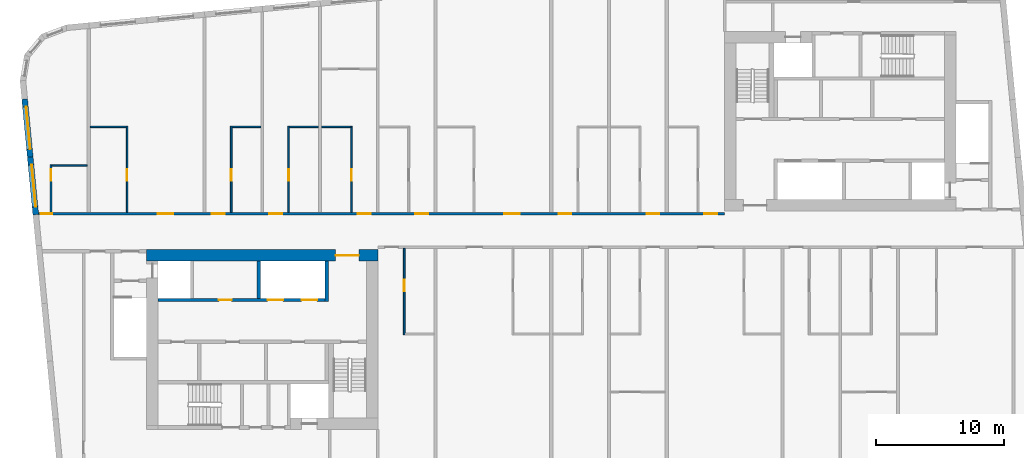
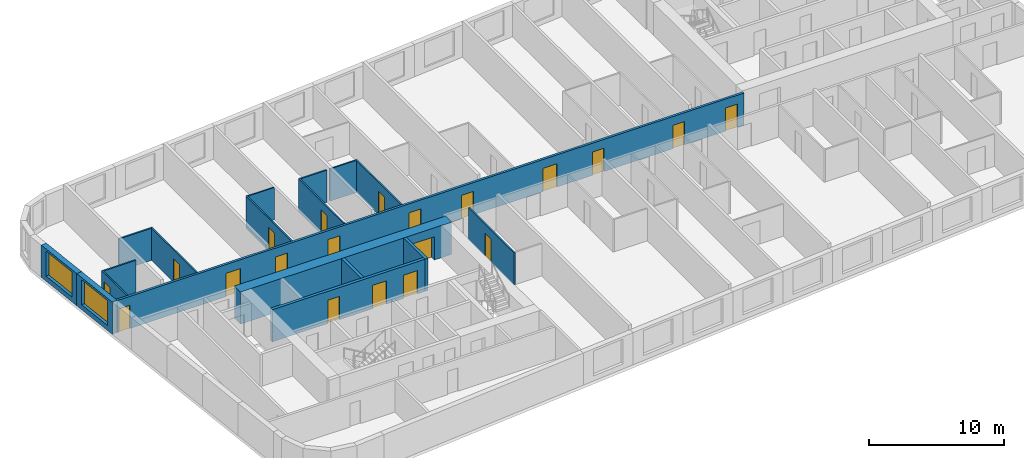
# One storey, part 3 of 11: 20 doors, 18 walls, 2 windows, 22 openings.
"""IFC4 building model written with IfcOpenShell, lengths in metres."""

from ifc_helpers import new_model, si_unit, direction, frame, frame_2d, origin, place, context, subcontext, project, spatial, rectangle, extrude, material, layer, layer_set, type_object, element, fill, save


model = new_model("IFC4")

# Units and contexts
model_context = context("Model", 3, precision=1e-05, world=origin(), true_north=direction((0.0, 1.0)))
body_context = subcontext(model_context, "Body", "Model", "MODEL_VIEW")
ifc_project = project(units=[si_unit("LENGTHUNIT", "METRE"), si_unit("AREAUNIT", "SQUARE_METRE"), si_unit("VOLUMEUNIT", "CUBIC_METRE"), si_unit("PLANEANGLEUNIT", "RADIAN"), si_unit("MASSUNIT", "GRAM", prefix="KILO")], contexts=[model_context])

# Site, building, storey
site_placement = place(None, origin())
site = spatial("IfcSite", under=ifc_project, at=site_placement, CompositionType="ELEMENT")
building_placement = place(site_placement, origin())
building = spatial("IfcBuilding", under=site, at=building_placement, Name="Kajstack Hotel Tower", CompositionType="ELEMENT")
storey_placement = place(building_placement, frame((0.0, 0.0, 304.800048828125)))
storey = spatial("IfcBuildingStorey", under=building, at=storey_placement, Name="L77", CompositionType="ELEMENT", Elevation=304.800048828125)

# Wall, opening, door
ifc_material_1 = material(Name="Concrete C60/75", Category="concrete")
ifc_layer_1 = layer(ifc_material_1, 0.89990234375)
ifc_layer_set_1 = layer_set([ifc_layer_1], Name="Core wall 900")
wall_type_1 = type_object("IfcWallType", Name="Core wall 900", PredefinedType="SHEAR", material=ifc_layer_set_1)
wall_1_placement = place(storey_placement, frame((-31.5, -1.949951171875, 0.0), z_axis=(0.0, 0.0, 1.0), x_axis=(1.0, 0.0, 0.0)))
wall_1 = element("IfcWall", 1, at=wall_1_placement, inside=storey, type_object=wall_type_1, Name="Core wall W RN", PredefinedType="SHEAR", context=body_context, shape_type="SweptSolid", body=[
    extrude(rectangle(XDim=18.0, YDim=0.89990234375, at=frame_2d((9.0, 0.0))), origin(), (0.0, 0.0, 1.0), 2.89990234375),
])
opening_1_placement = place(wall_1_placement, frame((14.72509765625, 0.0, 0.0)))
opening_1 = element("IfcOpeningElement", 2, at=opening_1_placement, cuts=wall_1, Name="Opening 77W05", PredefinedType="OPENING", context=body_context, shape_type="SweptSolid", body=[
    extrude(rectangle(XDim=1.800048828125, YDim=2.10009765625, at=frame_2d((0.89990234375, 1.050048828125))), frame((0.0, 0.4599609375, 0.0), z_axis=(0.0, -1.0, 0.0), x_axis=(1.0, 0.0, 0.0)), (0.0, 0.0, 1.0), 0.919921875),
])
ifc_material_2 = material(Name="Glazed steel frame, fire-rated glass", Category="steel")
door_type_1 = type_object("IfcDoorType", Name="Lobby double door 1800", OperationType="DOUBLE_DOOR_DOUBLE_SWING", PredefinedType="DOOR", material=ifc_material_2)
door_1_placement = place(opening_1_placement, origin())
door_1 = element("IfcDoor", 3, at=door_1_placement, inside=storey, type_object=door_type_1, Name="Door 77W05", OperationType="DOUBLE_DOOR_DOUBLE_SWING", OverallHeight=2.10009765625, OverallWidth=1.800048828125, PredefinedType="DOOR", context=body_context, shape_type="SweptSolid", body=[
    extrude(rectangle(XDim=1.800048828125, YDim=2.10009765625, at=frame_2d((0.89990234375, 1.050048828125))), frame((0.0, 0.02490234375, 0.0), z_axis=(0.0, -1.0, 0.0), x_axis=(1.0, 0.0, 0.0)), (0.0, 0.0, 1.0), 0.050048828125),
])
fill(opening_1, door_1)

# Wall, openings, doors
ifc_material_3 = material(Name="Gypsum board on steel studs, mineral wool", Category="steel")
ifc_layer_2 = layer(ifc_material_3, 0.199951171875)
ifc_layer_set_2 = layer_set([ifc_layer_2], Name="Corridor wall 200")
wall_type_2 = type_object("IfcWallType", Name="Corridor wall 200", PredefinedType="PARTITIONING", material=ifc_layer_set_2)
wall_2_placement = place(storey_placement, frame((-39.908935546875, 1.300048828125, 0.0), z_axis=(0.0, 0.0, 1.0), x_axis=(1.0, 0.0, 0.0)))
wall_2 = element("IfcWall", 4, at=wall_2_placement, inside=storey, type_object=wall_type_2, Name="G-wall-L77-003", PredefinedType="PARTITIONING", context=body_context, shape_type="SweptSolid", body=[
    extrude(rectangle(XDim=53.408935546875, YDim=0.199951171875, at=frame_2d((26.70458984375, 0.0))), origin(), (0.0, 0.0, 1.0), 2.89990234375),
])
opening_2_placement = place(wall_2_placement, frame((0.14990234375, 0.0, 0.0)))
opening_2 = element("IfcOpeningElement", 5, at=opening_2_placement, cuts=wall_2, Name="Opening 77001", PredefinedType="OPENING", context=body_context, shape_type="SweptSolid", body=[
    extrude(rectangle(XDim=0.89990234375, YDim=2.10009765625, at=frame_2d((0.449951171875, 1.050048828125))), frame((0.0, 0.10986328125, 0.0), z_axis=(0.0, -1.0, 0.0), x_axis=(1.0, 0.0, 0.0)), (0.0, 0.0, 1.0), 0.219970703125),
])
opening_3_placement = place(wall_2_placement, frame((9.27099609375, 0.0, 0.0)))
opening_3 = element("IfcOpeningElement", 6, at=opening_3_placement, cuts=wall_2, Name="Opening 77003", PredefinedType="OPENING", context=body_context, shape_type="SweptSolid", body=[
    extrude(rectangle(XDim=1.199951171875, YDim=2.10009765625, at=frame_2d((0.60009765625, 1.050048828125))), frame((0.0, 0.10986328125, 0.0), z_axis=(0.0, -1.0, 0.0), x_axis=(1.0, 0.0, 0.0)), (0.0, 0.0, 1.0), 0.219970703125),
])
opening_4_placement = place(wall_2_placement, frame((13.48388671875, 0.0, 0.0)))
opening_4 = element("IfcOpeningElement", 7, at=opening_4_placement, cuts=wall_2, Name="Opening 77005", PredefinedType="OPENING", context=body_context, shape_type="SweptSolid", body=[
    extrude(rectangle(XDim=1.0, YDim=2.10009765625, at=frame_2d((0.5, 1.050048828125))), frame((0.0, 0.10986328125, 0.0), z_axis=(0.0, -1.0, 0.0), x_axis=(1.0, 0.0, 0.0)), (0.0, 0.0, 1.0), 0.219970703125),
])
opening_5_placement = place(wall_2_placement, frame((17.958984375, 0.0, 0.0)))
opening_5 = element("IfcOpeningElement", 8, at=opening_5_placement, cuts=wall_2, Name="Opening 77007", PredefinedType="OPENING", context=body_context, shape_type="SweptSolid", body=[
    extrude(rectangle(XDim=1.0, YDim=2.10009765625, at=frame_2d((0.5, 1.050048828125))), frame((0.0, 0.10986328125, 0.0), z_axis=(0.0, -1.0, 0.0), x_axis=(1.0, 0.0, 0.0)), (0.0, 0.0, 1.0), 0.219970703125),
])
opening_6_placement = place(wall_2_placement, frame((24.85888671875, 0.0, 0.0)))
opening_6 = element("IfcOpeningElement", 9, at=opening_6_placement, cuts=wall_2, Name="Opening 77009", PredefinedType="OPENING", context=body_context, shape_type="SweptSolid", body=[
    extrude(rectangle(XDim=1.0, YDim=2.10009765625, at=frame_2d((0.5, 1.050048828125))), frame((0.0, 0.10986328125, 0.0), z_axis=(0.0, -1.0, 0.0), x_axis=(1.0, 0.0, 0.0)), (0.0, 0.0, 1.0), 0.219970703125),
])
opening_7_placement = place(wall_2_placement, frame((29.333984375, 0.0, 0.0)))
opening_7 = element("IfcOpeningElement", 10, at=opening_7_placement, cuts=wall_2, Name="Opening 77012", PredefinedType="OPENING", context=body_context, shape_type="SweptSolid", body=[
    extrude(rectangle(XDim=1.0, YDim=2.10009765625, at=frame_2d((0.5, 1.050048828125))), frame((0.0, 0.10986328125, 0.0), z_axis=(0.0, -1.0, 0.0), x_axis=(1.0, 0.0, 0.0)), (0.0, 0.0, 1.0), 0.219970703125),
])
opening_8_placement = place(wall_2_placement, frame((36.27099609375, 0.0, 0.0)))
opening_8 = element("IfcOpeningElement", 11, at=opening_8_placement, cuts=wall_2, Name="Opening 77014", PredefinedType="OPENING", context=body_context, shape_type="SweptSolid", body=[
    extrude(rectangle(XDim=1.199951171875, YDim=2.10009765625, at=frame_2d((0.60009765625, 1.050048828125))), frame((0.0, 0.10986328125, 0.0), z_axis=(0.0, -1.0, 0.0), x_axis=(1.0, 0.0, 0.0)), (0.0, 0.0, 1.0), 0.219970703125),
])
opening_9_placement = place(wall_2_placement, frame((40.48388671875, 0.0, 0.0)))
opening_9 = element("IfcOpeningElement", 12, at=opening_9_placement, cuts=wall_2, Name="Opening 77016", PredefinedType="OPENING", context=body_context, shape_type="SweptSolid", body=[
    extrude(rectangle(XDim=1.0, YDim=2.10009765625, at=frame_2d((0.5, 1.050048828125))), frame((0.0, 0.10986328125, 0.0), z_axis=(0.0, -1.0, 0.0), x_axis=(1.0, 0.0, 0.0)), (0.0, 0.0, 1.0), 0.219970703125),
])
opening_10_placement = place(wall_2_placement, frame((47.333984375, 0.0, 0.0)))
opening_10 = element("IfcOpeningElement", 13, at=opening_10_placement, cuts=wall_2, Name="Opening 77018", PredefinedType="OPENING", context=body_context, shape_type="SweptSolid", body=[
    extrude(rectangle(XDim=1.0, YDim=2.10009765625, at=frame_2d((0.5, 1.050048828125))), frame((0.0, 0.10986328125, 0.0), z_axis=(0.0, -1.0, 0.0), x_axis=(1.0, 0.0, 0.0)), (0.0, 0.0, 1.0), 0.219970703125),
])
opening_11_placement = place(wall_2_placement, frame((51.833984375, 0.0, 0.0)))
opening_11 = element("IfcOpeningElement", 14, at=opening_11_placement, cuts=wall_2, Name="Opening 77020", PredefinedType="OPENING", context=body_context, shape_type="SweptSolid", body=[
    extrude(rectangle(XDim=1.0, YDim=2.10009765625, at=frame_2d((0.5, 1.050048828125))), frame((0.0, 0.10986328125, 0.0), z_axis=(0.0, -1.0, 0.0), x_axis=(1.0, 0.0, 0.0)), (0.0, 0.0, 1.0), 0.219970703125),
])
ifc_material_4 = material(Name="Oak veneer on timber core, fire-rated leaf", Category="wood")
door_type_2 = type_object("IfcDoorType", Name="Flat entrance door 1000", OperationType="SINGLE_SWING_LEFT", PredefinedType="DOOR", material=ifc_material_4)
door_2_placement = place(opening_4_placement, origin())
door_2 = element("IfcDoor", 15, at=door_2_placement, inside=storey, type_object=door_type_2, Name="G-door-L77-05", OperationType="SINGLE_SWING_LEFT", OverallHeight=2.10009765625, OverallWidth=1.0, PredefinedType="DOOR", context=body_context, shape_type="SweptSolid", body=[
    extrude(rectangle(XDim=1.0, YDim=2.10009765625, at=frame_2d((0.5, 1.050048828125))), frame((0.0, 0.02490234375, 0.0), z_axis=(0.0, -1.0, 0.0), x_axis=(1.0, 0.0, 0.0)), (0.0, 0.0, 1.0), 0.050048828125),
])
fill(opening_4, door_2)
door_3_placement = place(opening_5_placement, origin())
door_3 = element("IfcDoor", 16, at=door_3_placement, inside=storey, type_object=door_type_2, Name="G-door-L77-07", OperationType="SINGLE_SWING_RIGHT", OverallHeight=2.10009765625, OverallWidth=1.0, PredefinedType="DOOR", context=body_context, shape_type="SweptSolid", body=[
    extrude(rectangle(XDim=1.0, YDim=2.10009765625, at=frame_2d((0.5, 1.050048828125))), frame((0.0, 0.02490234375, 0.0), z_axis=(0.0, -1.0, 0.0), x_axis=(1.0, 0.0, 0.0)), (0.0, 0.0, 1.0), 0.050048828125),
])
fill(opening_5, door_3)
door_4_placement = place(opening_6_placement, origin())
door_4 = element("IfcDoor", 17, at=door_4_placement, inside=storey, type_object=door_type_2, Name="G-door-L77-09", OperationType="SINGLE_SWING_LEFT", OverallHeight=2.10009765625, OverallWidth=1.0, PredefinedType="DOOR", context=body_context, shape_type="SweptSolid", body=[
    extrude(rectangle(XDim=1.0, YDim=2.10009765625, at=frame_2d((0.5, 1.050048828125))), frame((0.0, 0.02490234375, 0.0), z_axis=(0.0, -1.0, 0.0), x_axis=(1.0, 0.0, 0.0)), (0.0, 0.0, 1.0), 0.050048828125),
])
fill(opening_6, door_4)
door_5_placement = place(opening_7_placement, origin())
door_5 = element("IfcDoor", 18, at=door_5_placement, inside=storey, type_object=door_type_2, Name="G-door-L77-12", OperationType="SINGLE_SWING_RIGHT", OverallHeight=2.10009765625, OverallWidth=1.0, PredefinedType="DOOR", context=body_context, shape_type="SweptSolid", body=[
    extrude(rectangle(XDim=1.0, YDim=2.10009765625, at=frame_2d((0.5, 1.050048828125))), frame((0.0, 0.02490234375, 0.0), z_axis=(0.0, -1.0, 0.0), x_axis=(1.0, 0.0, 0.0)), (0.0, 0.0, 1.0), 0.050048828125),
])
fill(opening_7, door_5)
door_6_placement = place(opening_9_placement, origin())
door_6 = element("IfcDoor", 19, at=door_6_placement, inside=storey, type_object=door_type_2, Name="G-door-L77-16", OperationType="SINGLE_SWING_RIGHT", OverallHeight=2.10009765625, OverallWidth=1.0, PredefinedType="DOOR", context=body_context, shape_type="SweptSolid", body=[
    extrude(rectangle(XDim=1.0, YDim=2.10009765625, at=frame_2d((0.5, 1.050048828125))), frame((0.0, 0.02490234375, 0.0), z_axis=(0.0, -1.0, 0.0), x_axis=(1.0, 0.0, 0.0)), (0.0, 0.0, 1.0), 0.050048828125),
])
fill(opening_9, door_6)
door_7_placement = place(opening_10_placement, origin())
door_7 = element("IfcDoor", 20, at=door_7_placement, inside=storey, type_object=door_type_2, Name="G-door-L77-18", OperationType="SINGLE_SWING_LEFT", OverallHeight=2.10009765625, OverallWidth=1.0, PredefinedType="DOOR", context=body_context, shape_type="SweptSolid", body=[
    extrude(rectangle(XDim=1.0, YDim=2.10009765625, at=frame_2d((0.5, 1.050048828125))), frame((0.0, 0.02490234375, 0.0), z_axis=(0.0, -1.0, 0.0), x_axis=(1.0, 0.0, 0.0)), (0.0, 0.0, 1.0), 0.050048828125),
])
fill(opening_10, door_7)
door_8_placement = place(opening_11_placement, origin())
door_8 = element("IfcDoor", 21, at=door_8_placement, inside=storey, type_object=door_type_2, Name="G-door-L77-20", OperationType="SINGLE_SWING_RIGHT", OverallHeight=2.10009765625, OverallWidth=1.0, PredefinedType="DOOR", context=body_context, shape_type="SweptSolid", body=[
    extrude(rectangle(XDim=1.0, YDim=2.10009765625, at=frame_2d((0.5, 1.050048828125))), frame((0.0, 0.02490234375, 0.0), z_axis=(0.0, -1.0, 0.0), x_axis=(1.0, 0.0, 0.0)), (0.0, 0.0, 1.0), 0.050048828125),
])
fill(opening_11, door_8)
door_type_3 = type_object("IfcDoorType", Name="Flat entrance door 1200", OperationType="SINGLE_SWING_LEFT", PredefinedType="DOOR", material=ifc_material_4)
door_9_placement = place(opening_3_placement, origin())
door_9 = element("IfcDoor", 22, at=door_9_placement, inside=storey, type_object=door_type_3, Name="G-door-L77-03", OperationType="SINGLE_SWING_LEFT", OverallHeight=2.10009765625, OverallWidth=1.199951171875, PredefinedType="DOOR", context=body_context, shape_type="SweptSolid", body=[
    extrude(rectangle(XDim=1.199951171875, YDim=2.10009765625, at=frame_2d((0.60009765625, 1.050048828125))), frame((0.0, 0.02490234375, 0.0), z_axis=(0.0, -1.0, 0.0), x_axis=(1.0, 0.0, 0.0)), (0.0, 0.0, 1.0), 0.050048828125),
])
fill(opening_3, door_9)
door_10_placement = place(opening_8_placement, origin())
door_10 = element("IfcDoor", 23, at=door_10_placement, inside=storey, type_object=door_type_3, Name="G-door-L77-14", OperationType="SINGLE_SWING_RIGHT", OverallHeight=2.10009765625, OverallWidth=1.199951171875, PredefinedType="DOOR", context=body_context, shape_type="SweptSolid", body=[
    extrude(rectangle(XDim=1.199951171875, YDim=2.10009765625, at=frame_2d((0.60009765625, 1.050048828125))), frame((0.0, 0.02490234375, 0.0), z_axis=(0.0, -1.0, 0.0), x_axis=(1.0, 0.0, 0.0)), (0.0, 0.0, 1.0), 0.050048828125),
])
fill(opening_8, door_10)
ifc_material_5 = material(Name="Painted timber door leaf", Category="wood")
door_type_4 = type_object("IfcDoorType", Name="Room door 900", OperationType="SINGLE_SWING_LEFT", PredefinedType="DOOR", material=ifc_material_5)
door_11_placement = place(opening_2_placement, origin())
door_11 = element("IfcDoor", 24, at=door_11_placement, inside=storey, type_object=door_type_4, Name="G-door-L77-01", OperationType="SINGLE_SWING_LEFT", OverallHeight=2.10009765625, OverallWidth=0.89990234375, PredefinedType="DOOR", context=body_context, shape_type="SweptSolid", body=[
    extrude(rectangle(XDim=0.89990234375, YDim=2.10009765625, at=frame_2d((0.449951171875, 1.050048828125))), frame((0.0, 0.02490234375, 0.0), z_axis=(0.0, -1.0, 0.0), x_axis=(1.0, 0.0, 0.0)), (0.0, 0.0, 1.0), 0.050048828125),
])
fill(opening_2, door_11)

# Wall, opening, window
ifc_material_6 = material(Name="Concrete C40/50", Category="concrete")
ifc_layer_3 = layer(ifc_material_6, 0.449951171875)
ifc_layer_set_3 = layer_set([ifc_layer_3], Name="EW-CORE")
wall_type_3 = type_object("IfcWallType", Name="EW-CORE", PredefinedType="SOLIDWALL", material=ifc_layer_set_3)
wall_3_placement = place(storey_placement, frame((-40.994140625, 10.2216796875, 0.0), z_axis=(0.0, 0.0, 1.0), x_axis=(0.095851315644, -0.995395662684, 0.0)))
wall_3 = element("IfcWall", 25, at=wall_3_placement, inside=storey, type_object=wall_type_3, Name="E-wall-L77-00-01", PredefinedType="SOLIDWALL", context=body_context, shape_type="SweptSolid", body=[
    extrude(rectangle(XDim=4.52099609375, YDim=0.449951171875, at=frame_2d((2.260498046875, 0.0))), origin(), (0.0, 0.0, 1.0), 2.89990234375),
])
opening_12_placement = place(wall_3_placement, frame((0.6103515625, 0.0, 0.449951171875)))
opening_12 = element("IfcOpeningElement", 26, at=opening_12_placement, cuts=wall_3, Name="Opening W2", PredefinedType="OPENING", context=body_context, shape_type="SweptSolid", body=[
    extrude(rectangle(XDim=3.300048828125, YDim=2.25, at=frame_2d((1.64990234375, 1.125))), frame((0.0, 0.23486328125, 0.0), z_axis=(0.0, -1.0, 0.0), x_axis=(1.0, 0.0, 0.0)), (0.0, 0.0, 1.0), 0.469970703125),
])
ifc_material_7 = material(Name="Timber-aluminium window, triple glazed", Category="wood")
window_type = type_object("IfcWindowType", Name="WG2", PartitioningType="SINGLE_PANEL", PredefinedType="WINDOW", material=ifc_material_7)
window_1_placement = place(opening_12_placement, origin())
window_1 = element("IfcWindow", 27, at=window_1_placement, inside=storey, type_object=window_type, Name="Window W2 L77-00", OverallHeight=2.25, OverallWidth=3.300048828125, PartitioningType="SINGLE_PANEL", PredefinedType="WINDOW", context=body_context, shape_type="SweptSolid", body=[
    extrude(rectangle(XDim=3.300048828125, YDim=2.25, at=frame_2d((1.64990234375, 1.125))), frame((0.0, 0.090087890625, 0.0), z_axis=(0.0, -1.0, 0.0), x_axis=(1.0, 0.0, 0.0)), (0.0, 0.0, 1.0), 0.06005859375),
])
fill(opening_12, window_1)

wall_4_placement = place(storey_placement, frame((-40.560791015625, 5.721435546875, 0.0), z_axis=(0.0, 0.0, 1.0), x_axis=(0.095856468129, -0.995395166513, 0.0)))
wall_4 = element("IfcWall", 28, at=wall_4_placement, inside=storey, type_object=wall_type_3, Name="E-wall-L77-00-02", PredefinedType="SOLIDWALL", context=body_context, shape_type="SweptSolid", body=[
    extrude(rectangle(XDim=4.520751953125, YDim=0.449951171875, at=frame_2d((2.26025390625, 0.0))), origin(), (0.0, 0.0, 1.0), 2.89990234375),
])
opening_13_placement = place(wall_4_placement, frame((0.6103515625, 0.0, 0.449951171875)))
opening_13 = element("IfcOpeningElement", 29, at=opening_13_placement, cuts=wall_4, Name="Opening W2", PredefinedType="OPENING", context=body_context, shape_type="SweptSolid", body=[
    extrude(rectangle(XDim=3.300048828125, YDim=2.25, at=frame_2d((1.64990234375, 1.125))), frame((0.0, 0.23486328125, 0.0), z_axis=(0.0, -1.0, 0.0), x_axis=(1.0, 0.0, 0.0)), (0.0, 0.0, 1.0), 0.469970703125),
])
window_2_placement = place(opening_13_placement, origin())
window_2 = element("IfcWindow", 30, at=window_2_placement, inside=storey, type_object=window_type, Name="Window W2 L77-00", OverallHeight=2.25, OverallWidth=3.300048828125, PartitioningType="SINGLE_PANEL", PredefinedType="WINDOW", context=body_context, shape_type="SweptSolid", body=[
    extrude(rectangle(XDim=3.300048828125, YDim=2.25, at=frame_2d((1.64990234375, 1.125))), frame((0.0, 0.090087890625, 0.0), z_axis=(0.0, -1.0, 0.0), x_axis=(1.0, 0.0, 0.0)), (0.0, 0.0, 1.0), 0.06005859375),
])
fill(opening_13, window_2)

# Wall, opening, door
ifc_material_8 = material(Name="Gypsum board and tiled backer on steel studs", Category="steel")
ifc_layer_4 = layer(ifc_material_8, 0.125)
ifc_layer_set_4 = layer_set([ifc_layer_4], Name="En-suite wall 125")
wall_type_4 = type_object("IfcWallType", Name="En-suite wall 125", PredefinedType="PARTITIONING", material=ifc_layer_set_4)
wall_5_placement = place(storey_placement, frame((-38.93994140625, 1.39990234375, 0.0), z_axis=(0.0, 0.0, 1.0), x_axis=(0.0, 1.0, 0.0)))
wall_5 = element("IfcWall", 31, at=wall_5_placement, inside=storey, type_object=wall_type_4, Name="G-wall-L77-004", PredefinedType="PARTITIONING", context=body_context, shape_type="SweptSolid", body=[
    extrude(rectangle(XDim=3.72509765625, YDim=0.125, at=frame_2d((1.862548828125, 0.0))), origin(), (0.0, 0.0, 1.0), 2.89990234375),
])
opening_14_placement = place(wall_5_placement, frame((2.449951171875, 0.0, 0.0)))
opening_14 = element("IfcOpeningElement", 32, at=opening_14_placement, cuts=wall_5, Name="Opening 77002", PredefinedType="OPENING", context=body_context, shape_type="SweptSolid", body=[
    extrude(rectangle(XDim=0.89990234375, YDim=2.10009765625, at=frame_2d((0.449951171875, 1.050048828125))), frame((0.0, 0.072509765625, 0.0), z_axis=(0.0, -1.0, 0.0), x_axis=(1.0, 0.0, 0.0)), (0.0, 0.0, 1.0), 0.14501953125),
])
door_12_placement = place(opening_14_placement, origin())
door_12 = element("IfcDoor", 33, at=door_12_placement, inside=storey, type_object=door_type_4, Name="G-door-L77-02", OperationType="SINGLE_SWING_RIGHT", OverallHeight=2.10009765625, OverallWidth=0.89990234375, PredefinedType="DOOR", context=body_context, shape_type="SweptSolid", body=[
    extrude(rectangle(XDim=0.89990234375, YDim=2.10009765625, at=frame_2d((0.449951171875, 1.050048828125))), frame((0.0, 0.02490234375, 0.0), z_axis=(0.0, -1.0, 0.0), x_axis=(1.0, 0.0, 0.0)), (0.0, 0.0, 1.0), 0.050048828125),
])
fill(opening_14, door_12)

# Wall
wall_6_placement = place(storey_placement, frame((-38.8779296875, 5.06201171875, 0.0), z_axis=(0.0, 0.0, 1.0), x_axis=(1.0, 0.0, 0.0)))
element("IfcWall", 34, at=wall_6_placement, inside=storey, type_object=wall_type_4, Name="G-wall-L77-005", PredefinedType="PARTITIONING", context=body_context, shape_type="SweptSolid", body=[
    extrude(rectangle(XDim=2.7529296875, YDim=0.125, at=frame_2d((1.37646484375, 0.0))), origin(), (0.0, 0.0, 1.0), 2.89990234375),
])

# Wall, opening, door
wall_7_placement = place(storey_placement, frame((-33.012939453125, 1.39990234375, 0.0), z_axis=(0.0, 0.0, 1.0), x_axis=(0.0, 1.0, 0.0)))
wall_7 = element("IfcWall", 35, at=wall_7_placement, inside=storey, type_object=wall_type_4, Name="G-wall-L77-006", PredefinedType="PARTITIONING", context=body_context, shape_type="SweptSolid", body=[
    extrude(rectangle(XDim=6.72509765625, YDim=0.125, at=frame_2d((3.362548828125, 0.0))), origin(), (0.0, 0.0, 1.0), 2.89990234375),
])
opening_15_placement = place(wall_7_placement, frame((2.449951171875, 0.0, 0.0)))
opening_15 = element("IfcOpeningElement", 36, at=opening_15_placement, cuts=wall_7, Name="Opening 77004", PredefinedType="OPENING", context=body_context, shape_type="SweptSolid", body=[
    extrude(rectangle(XDim=0.89990234375, YDim=2.10009765625, at=frame_2d((0.449951171875, 1.050048828125))), frame((0.0, 0.072509765625, 0.0), z_axis=(0.0, -1.0, 0.0), x_axis=(1.0, 0.0, 0.0)), (0.0, 0.0, 1.0), 0.14501953125),
])
door_13_placement = place(opening_15_placement, origin())
door_13 = element("IfcDoor", 37, at=door_13_placement, inside=storey, type_object=door_type_4, Name="G-door-L77-04", OperationType="SINGLE_SWING_LEFT", OverallHeight=2.10009765625, OverallWidth=0.89990234375, PredefinedType="DOOR", context=body_context, shape_type="SweptSolid", body=[
    extrude(rectangle(XDim=0.89990234375, YDim=2.10009765625, at=frame_2d((0.449951171875, 1.050048828125))), frame((0.0, 0.02490234375, 0.0), z_axis=(0.0, -1.0, 0.0), x_axis=(1.0, 0.0, 0.0)), (0.0, 0.0, 1.0), 0.050048828125),
])
fill(opening_15, door_13)

# Wall
wall_8_placement = place(storey_placement, frame((-35.875, 8.06201171875, 0.0), z_axis=(0.0, 0.0, 1.0), x_axis=(1.0, 0.0, 0.0)))
element("IfcWall", 38, at=wall_8_placement, inside=storey, type_object=wall_type_4, Name="G-wall-L77-007", PredefinedType="PARTITIONING", context=body_context, shape_type="SweptSolid", body=[
    extrude(rectangle(XDim=2.800048828125, YDim=0.125, at=frame_2d((1.39990234375, 0.0))), origin(), (0.0, 0.0, 1.0), 2.89990234375),
])

# Wall, opening, door
wall_9_placement = place(storey_placement, frame((-24.9130859375, 1.39990234375, 0.0), z_axis=(0.0, 0.0, 1.0), x_axis=(0.0, 1.0, 0.0)))
wall_9 = element("IfcWall", 39, at=wall_9_placement, inside=storey, type_object=wall_type_4, Name="G-wall-L77-009", PredefinedType="PARTITIONING", context=body_context, shape_type="SweptSolid", body=[
    extrude(rectangle(XDim=6.72509765625, YDim=0.125, at=frame_2d((3.362548828125, 0.0))), origin(), (0.0, 0.0, 1.0), 2.89990234375),
])
opening_16_placement = place(wall_9_placement, frame((2.449951171875, 0.0, 0.0)))
opening_16 = element("IfcOpeningElement", 40, at=opening_16_placement, cuts=wall_9, Name="Opening 77006", PredefinedType="OPENING", context=body_context, shape_type="SweptSolid", body=[
    extrude(rectangle(XDim=0.89990234375, YDim=2.10009765625, at=frame_2d((0.449951171875, 1.050048828125))), frame((0.0, 0.072509765625, 0.0), z_axis=(0.0, -1.0, 0.0), x_axis=(1.0, 0.0, 0.0)), (0.0, 0.0, 1.0), 0.14501953125),
])
door_14_placement = place(opening_16_placement, origin())
door_14 = element("IfcDoor", 41, at=door_14_placement, inside=storey, type_object=door_type_4, Name="G-door-L77-06", OperationType="SINGLE_SWING_LEFT", OverallHeight=2.10009765625, OverallWidth=0.89990234375, PredefinedType="DOOR", context=body_context, shape_type="SweptSolid", body=[
    extrude(rectangle(XDim=0.89990234375, YDim=2.10009765625, at=frame_2d((0.449951171875, 1.050048828125))), frame((0.0, 0.02490234375, 0.0), z_axis=(0.0, -1.0, 0.0), x_axis=(1.0, 0.0, 0.0)), (0.0, 0.0, 1.0), 0.050048828125),
])
fill(opening_16, door_14)

# Wall
wall_10_placement = place(storey_placement, frame((-24.85009765625, 8.06201171875, 0.0), z_axis=(0.0, 0.0, 1.0), x_axis=(1.0, 0.0, 0.0)))
element("IfcWall", 42, at=wall_10_placement, inside=storey, type_object=wall_type_4, Name="G-wall-L77-010", PredefinedType="PARTITIONING", context=body_context, shape_type="SweptSolid", body=[
    extrude(rectangle(XDim=2.25, YDim=0.125, at=frame_2d((1.125, 0.0))), origin(), (0.0, 0.0, 1.0), 2.89990234375),
])

# Wall, opening, door
wall_11_placement = place(storey_placement, frame((-20.43798828125, 1.39990234375, 0.0), z_axis=(0.0, 0.0, 1.0), x_axis=(0.0, 1.0, 0.0)))
wall_11 = element("IfcWall", 43, at=wall_11_placement, inside=storey, type_object=wall_type_4, Name="G-wall-L77-011", PredefinedType="PARTITIONING", context=body_context, shape_type="SweptSolid", body=[
    extrude(rectangle(XDim=6.72509765625, YDim=0.125, at=frame_2d((3.362548828125, 0.0))), origin(), (0.0, 0.0, 1.0), 2.89990234375),
])
opening_17_placement = place(wall_11_placement, frame((2.449951171875, 0.0, 0.0)))
opening_17 = element("IfcOpeningElement", 44, at=opening_17_placement, cuts=wall_11, Name="Opening 77008", PredefinedType="OPENING", context=body_context, shape_type="SweptSolid", body=[
    extrude(rectangle(XDim=0.89990234375, YDim=2.10009765625, at=frame_2d((0.449951171875, 1.050048828125))), frame((0.0, 0.072509765625, 0.0), z_axis=(0.0, -1.0, 0.0), x_axis=(1.0, 0.0, 0.0)), (0.0, 0.0, 1.0), 0.14501953125),
])
door_15_placement = place(opening_17_placement, origin())
door_15 = element("IfcDoor", 45, at=door_15_placement, inside=storey, type_object=door_type_4, Name="G-door-L77-08", OperationType="SINGLE_SWING_RIGHT", OverallHeight=2.10009765625, OverallWidth=0.89990234375, PredefinedType="DOOR", context=body_context, shape_type="SweptSolid", body=[
    extrude(rectangle(XDim=0.89990234375, YDim=2.10009765625, at=frame_2d((0.449951171875, 1.050048828125))), frame((0.0, 0.02490234375, 0.0), z_axis=(0.0, -1.0, 0.0), x_axis=(1.0, 0.0, 0.0)), (0.0, 0.0, 1.0), 0.050048828125),
])
fill(opening_17, door_15)

# Wall
wall_12_placement = place(storey_placement, frame((-20.375, 8.06201171875, 0.0), z_axis=(0.0, 0.0, 1.0), x_axis=(1.0, 0.0, 0.0)))
element("IfcWall", 46, at=wall_12_placement, inside=storey, type_object=wall_type_4, Name="G-wall-L77-012", PredefinedType="PARTITIONING", context=body_context, shape_type="SweptSolid", body=[
    extrude(rectangle(XDim=2.25, YDim=0.125, at=frame_2d((1.125, 0.0))), origin(), (0.0, 0.0, 1.0), 2.89990234375),
])

# Wall, opening, door
wall_13_placement = place(storey_placement, frame((-15.56201171875, 1.39990234375, 0.0), z_axis=(0.0, 0.0, 1.0), x_axis=(0.0, 1.0, 0.0)))
wall_13 = element("IfcWall", 47, at=wall_13_placement, inside=storey, type_object=wall_type_4, Name="G-wall-L77-014", PredefinedType="PARTITIONING", context=body_context, shape_type="SweptSolid", body=[
    extrude(rectangle(XDim=6.72509765625, YDim=0.125, at=frame_2d((3.362548828125, 0.0))), origin(), (0.0, 0.0, 1.0), 2.89990234375),
])
opening_18_placement = place(wall_13_placement, frame((2.449951171875, 0.0, 0.0)))
opening_18 = element("IfcOpeningElement", 48, at=opening_18_placement, cuts=wall_13, Name="Opening 77010", PredefinedType="OPENING", context=body_context, shape_type="SweptSolid", body=[
    extrude(rectangle(XDim=0.89990234375, YDim=2.10009765625, at=frame_2d((0.449951171875, 1.050048828125))), frame((0.0, 0.072509765625, 0.0), z_axis=(0.0, -1.0, 0.0), x_axis=(1.0, 0.0, 0.0)), (0.0, 0.0, 1.0), 0.14501953125),
])
door_16_placement = place(opening_18_placement, origin())
door_16 = element("IfcDoor", 49, at=door_16_placement, inside=storey, type_object=door_type_4, Name="G-door-L77-10", OperationType="SINGLE_SWING_RIGHT", OverallHeight=2.10009765625, OverallWidth=0.89990234375, PredefinedType="DOOR", context=body_context, shape_type="SweptSolid", body=[
    extrude(rectangle(XDim=0.89990234375, YDim=2.10009765625, at=frame_2d((0.449951171875, 1.050048828125))), frame((0.0, 0.02490234375, 0.0), z_axis=(0.0, -1.0, 0.0), x_axis=(1.0, 0.0, 0.0)), (0.0, 0.0, 1.0), 0.050048828125),
])
fill(opening_18, door_16)

# Wall
wall_14_placement = place(storey_placement, frame((-17.875, 8.06201171875, 0.0), z_axis=(0.0, 0.0, 1.0), x_axis=(1.0, 0.0, 0.0)))
element("IfcWall", 50, at=wall_14_placement, inside=storey, type_object=wall_type_4, Name="G-wall-L77-015", PredefinedType="PARTITIONING", context=body_context, shape_type="SweptSolid", body=[
    extrude(rectangle(XDim=2.25, YDim=0.125, at=frame_2d((1.125, 0.0))), origin(), (0.0, 0.0, 1.0), 2.89990234375),
])

# Wall, opening, door
wall_15_placement = place(storey_placement, frame((-11.43798828125, -8.125, 0.0), z_axis=(0.0, 0.0, 1.0), x_axis=(0.0, 1.0, 0.0)))
wall_15 = element("IfcWall", 51, at=wall_15_placement, inside=storey, type_object=wall_type_4, Name="G-wall-L77-029", PredefinedType="PARTITIONING", context=body_context, shape_type="SweptSolid", body=[
    extrude(rectangle(XDim=6.72509765625, YDim=0.125, at=frame_2d((3.362548828125, 0.0))), origin(), (0.0, 0.0, 1.0), 2.89990234375),
])
opening_19_placement = place(wall_15_placement, frame((3.375, 0.0, 0.0)))
opening_19 = element("IfcOpeningElement", 52, at=opening_19_placement, cuts=wall_15, Name="Opening 77023", PredefinedType="OPENING", context=body_context, shape_type="SweptSolid", body=[
    extrude(rectangle(XDim=0.89990234375, YDim=2.10009765625, at=frame_2d((0.449951171875, 1.050048828125))), frame((0.0, 0.072509765625, 0.0), z_axis=(0.0, -1.0, 0.0), x_axis=(1.0, 0.0, 0.0)), (0.0, 0.0, 1.0), 0.14501953125),
])
door_17_placement = place(opening_19_placement, origin())
door_17 = element("IfcDoor", 53, at=door_17_placement, inside=storey, type_object=door_type_4, Name="G-door-L77-23", OperationType="SINGLE_SWING_LEFT", OverallHeight=2.10009765625, OverallWidth=0.89990234375, PredefinedType="DOOR", context=body_context, shape_type="SweptSolid", body=[
    extrude(rectangle(XDim=0.89990234375, YDim=2.10009765625, at=frame_2d((0.449951171875, 1.050048828125))), frame((0.0, 0.02490234375, 0.0), z_axis=(0.0, -1.0, 0.0), x_axis=(1.0, 0.0, 0.0)), (0.0, 0.0, 1.0), 0.050048828125),
])
fill(opening_19, door_17)

# Wall
ifc_material_9 = material(Name="Concrete C50/60", Category="concrete")
ifc_layer_5 = layer(ifc_material_9, 0.300048828125)
ifc_layer_set_5 = layer_set([ifc_layer_5], Name="Hoistway divider wall 300")
wall_type_5 = type_object("IfcWallType", Name="Hoistway divider wall 300", PredefinedType="SHEAR", material=ifc_layer_set_5)
wall_16_placement = place(storey_placement, frame((-22.77490234375, -5.300048828125, 0.0), z_axis=(0.0, 0.0, 1.0), x_axis=(0.0, 1.0, 0.0)))
element("IfcWall", 54, at=wall_16_placement, inside=storey, type_object=wall_type_5, Name="Core wall W AP2", PredefinedType="SHEAR", context=body_context, shape_type="SweptSolid", body=[
    extrude(rectangle(XDim=2.900146484375, YDim=0.25, at=frame_2d((1.4501953125, 0.0))), origin(), (0.0, 0.0, 1.0), 2.89990234375),
])

# Wall, openings, doors
ifc_layer_6 = layer(ifc_material_9, 0.25)
ifc_layer_set_6 = layer_set([ifc_layer_6], Name="Shaft wall 250")
wall_type_6 = type_object("IfcWallType", Name="Shaft wall 250", PredefinedType="SHEAR", material=ifc_layer_set_6)
wall_17_placement = place(storey_placement, frame((-30.60009765625, -5.425048828125, 0.0), z_axis=(0.0, 0.0, 1.0), x_axis=(1.0, 0.0, 0.0)))
wall_17 = element("IfcWall", 55, at=wall_17_placement, inside=storey, type_object=wall_type_6, Name="Core wall W FA", PredefinedType="SHEAR", context=body_context, shape_type="SweptSolid", body=[
    extrude(rectangle(XDim=13.0, YDim=0.25, at=frame_2d((6.5, 0.0))), origin(), (0.0, 0.0, 1.0), 2.89990234375),
])
opening_20_placement = place(wall_17_placement, frame((8.52490234375, 0.0, 0.0)))
opening_20 = element("IfcOpeningElement", 56, at=opening_20_placement, cuts=wall_17, Name="Opening LD-HR1", PredefinedType="OPENING", context=body_context, shape_type="SweptSolid", body=[
    extrude(rectangle(XDim=1.199951171875, YDim=2.10009765625, at=frame_2d((0.60009765625, 1.050048828125))), frame((0.0, 0.135009765625, 0.0), z_axis=(0.0, -1.0, 0.0), x_axis=(1.0, 0.0, 0.0)), (0.0, 0.0, 1.0), 0.27001953125),
])
opening_21_placement = place(wall_17_placement, frame((11.175048828125, 0.0, 0.0)))
opening_21 = element("IfcOpeningElement", 57, at=opening_21_placement, cuts=wall_17, Name="Opening LD-HR2", PredefinedType="OPENING", context=body_context, shape_type="SweptSolid", body=[
    extrude(rectangle(XDim=1.199951171875, YDim=2.10009765625, at=frame_2d((0.60009765625, 1.050048828125))), frame((0.0, 0.135009765625, 0.0), z_axis=(0.0, -1.0, 0.0), x_axis=(1.0, 0.0, 0.0)), (0.0, 0.0, 1.0), 0.27001953125),
])
opening_22_placement = place(wall_17_placement, frame((4.72509765625, 0.0, 0.0)))
opening_22 = element("IfcOpeningElement", 58, at=opening_22_placement, cuts=wall_17, Name="Opening 77W16", PredefinedType="OPENING", context=body_context, shape_type="SweptSolid", body=[
    extrude(rectangle(XDim=1.0, YDim=2.10009765625, at=frame_2d((0.5, 1.050048828125))), frame((0.0, 0.135009765625, 0.0), z_axis=(0.0, -1.0, 0.0), x_axis=(1.0, 0.0, 0.0)), (0.0, 0.0, 1.0), 0.27001953125),
])
ifc_material_10 = material(Name="Stainless steel", Category="steel")
door_type_5 = type_object("IfcDoorType", Name="Lift landing door 1200", OperationType="SLIDING_TO_LEFT", PredefinedType="DOOR", material=ifc_material_10)
door_18_placement = place(opening_20_placement, origin())
door_18 = element("IfcDoor", 59, at=door_18_placement, inside=storey, type_object=door_type_5, Name="Landing door HR1", OperationType="SLIDING_TO_LEFT", OverallHeight=2.10009765625, OverallWidth=1.199951171875, PredefinedType="DOOR", context=body_context, shape_type="SweptSolid", body=[
    extrude(rectangle(XDim=1.199951171875, YDim=2.10009765625, at=frame_2d((0.60009765625, 1.050048828125))), frame((0.0, 0.02490234375, 0.0), z_axis=(0.0, -1.0, 0.0), x_axis=(1.0, 0.0, 0.0)), (0.0, 0.0, 1.0), 0.050048828125),
])
fill(opening_20, door_18)
door_19_placement = place(opening_21_placement, origin())
door_19 = element("IfcDoor", 60, at=door_19_placement, inside=storey, type_object=door_type_5, Name="Landing door HR2", OperationType="SLIDING_TO_RIGHT", OverallHeight=2.10009765625, OverallWidth=1.199951171875, PredefinedType="DOOR", context=body_context, shape_type="SweptSolid", body=[
    extrude(rectangle(XDim=1.199951171875, YDim=2.10009765625, at=frame_2d((0.60009765625, 1.050048828125))), frame((0.0, 0.02490234375, 0.0), z_axis=(0.0, -1.0, 0.0), x_axis=(1.0, 0.0, 0.0)), (0.0, 0.0, 1.0), 0.050048828125),
])
fill(opening_21, door_19)
ifc_material_11 = material(Name="Timber leaf, fire-rated", Category="wood")
door_type_6 = type_object("IfcDoorType", Name="Service room door 1000", OperationType="SINGLE_SWING_LEFT", PredefinedType="DOOR", material=ifc_material_11)
door_20_placement = place(opening_22_placement, origin())
door_20 = element("IfcDoor", 61, at=door_20_placement, inside=storey, type_object=door_type_6, Name="Door 77W16", OperationType="SINGLE_SWING_RIGHT", OverallHeight=2.10009765625, OverallWidth=1.0, PredefinedType="DOOR", context=body_context, shape_type="SweptSolid", body=[
    extrude(rectangle(XDim=1.0, YDim=2.10009765625, at=frame_2d((0.5, 1.050048828125))), frame((0.0, 0.02490234375, 0.0), z_axis=(0.0, -1.0, 0.0), x_axis=(1.0, 0.0, 0.0)), (0.0, 0.0, 1.0), 0.050048828125),
])
fill(opening_22, door_20)

# Wall
wall_18_placement = place(storey_placement, frame((-17.47509765625, -5.550048828125, 0.0), z_axis=(0.0, 0.0, 1.0), x_axis=(0.0, 1.0, 0.0)))
element("IfcWall", 62, at=wall_18_placement, inside=storey, type_object=wall_type_6, Name="Core wall W AE", PredefinedType="SHEAR", context=body_context, shape_type="SweptSolid", body=[
    extrude(rectangle(XDim=3.150146484375, YDim=0.25, at=frame_2d((1.5751953125, 0.0))), origin(), (0.0, 0.0, 1.0), 2.89990234375),
])

save(model, "model.ifc")
